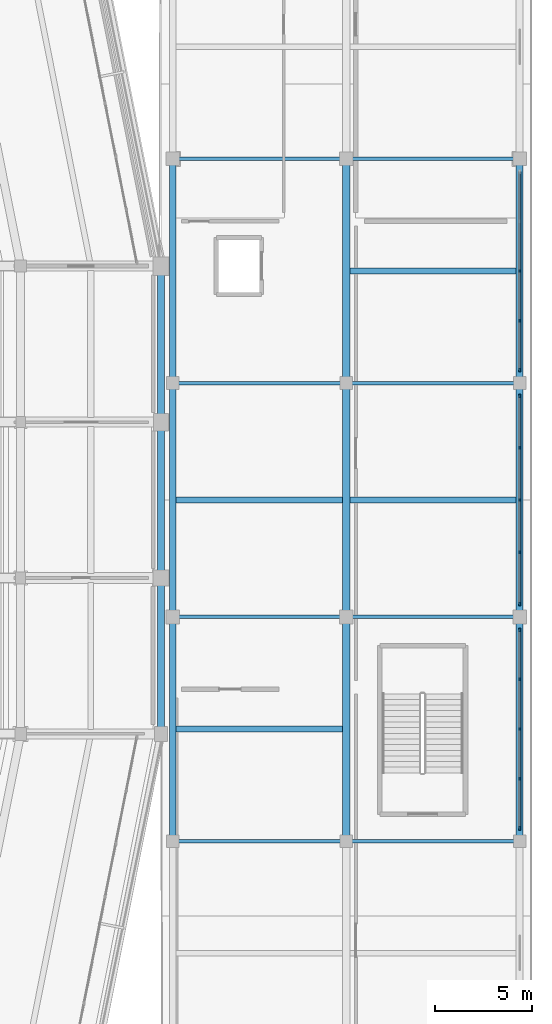
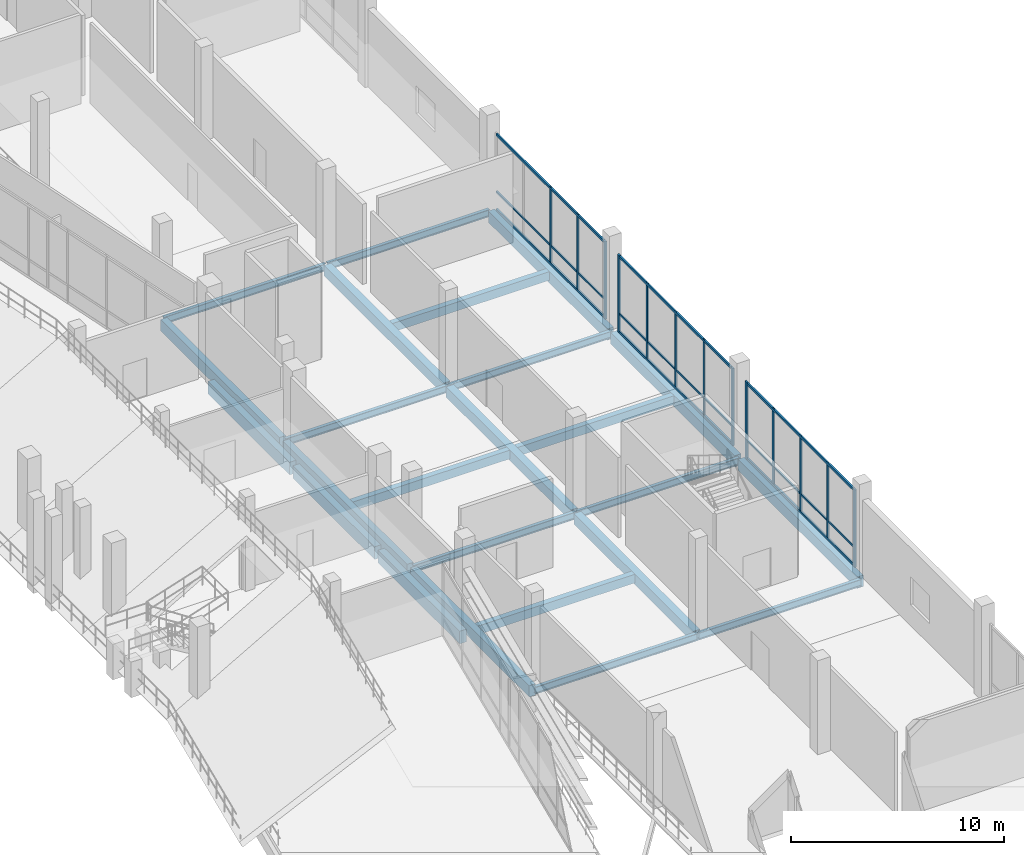
# One storey, part 44 of 127: 24 beams, 22 members, 3 elements without a shape of their own.
"""IFC4 building model written with IfcOpenShell, lengths in metres."""

from ifc_helpers import new_model, si_unit, direction, frame, origin, origin_2d, place, context, subcontext, project, spatial, rectangle, i_section, extrude, material, material_profile, profile_set, type_object, element, aggregate, save


model = new_model("IFC4")

# Units and contexts
model_context = context("Model", 3, precision=1e-05, world=origin(), true_north=direction((0.0, 1.0)))
body_context = subcontext(model_context, "Body", "Model", "MODEL_VIEW")
ifc_project = project(units=[si_unit("LENGTHUNIT", "METRE"), si_unit("AREAUNIT", "SQUARE_METRE"), si_unit("VOLUMEUNIT", "CUBIC_METRE"), si_unit("PLANEANGLEUNIT", "RADIAN"), si_unit("MASSUNIT", "GRAM", prefix="KILO")], contexts=[model_context])

# Site, building, storey
site_placement = place(None, origin())
site = spatial("IfcSite", under=ifc_project, at=site_placement, CompositionType="ELEMENT")
building_placement = place(site_placement, origin())
building = spatial("IfcBuilding", under=site, at=building_placement, Name="Candeia Ridge Stadium", CompositionType="ELEMENT")
storey_placement = place(building_placement, frame((0.0, 0.0, 10.800048828125)))
storey = spatial("IfcBuildingStorey", under=building, at=storey_placement, Name="L02", CompositionType="ELEMENT", Elevation=10.800048828125)

# Curtain wall, members
ifc_material_1 = material(Name="Aluminium Anodized Warm Bronze", Category="aluminium")
curtain_wall_type = type_object("IfcCurtainWallType", Name="Cardinal Entrance Gate Tall Glazed Curtain Wall", PredefinedType="NOTDEFINED", material=ifc_material_1)
curtain_wall_1_placement = place(storey_placement, origin())
curtain_wall_1 = element("IfcCurtainWall", 1, at=curtain_wall_1_placement, inside=storey, type_object=curtain_wall_type, Name="Unitised curtain wall CW-WNG-L02-107", PredefinedType="NOTDEFINED")
ifc_material_profile_1 = material_profile(ifc_material_1, rectangle(XDim=0.090087890625, YDim=0.179931640625, at=origin_2d()), Name="CWM-90x180", Category="aluminium")
ifc_profile_set_1 = profile_set([ifc_material_profile_1], Name="Aluminium Anodized Warm Bronze")
member_type_1 = type_object("IfcMemberType", Name="Curtain Wall Primary Mullion 90x180", PredefinedType="MULLION", material=ifc_profile_set_1)
member_1_placement = place(storey_placement, frame((211.39990234375, 66.159912109375, 0.0), z_axis=(0.0, 0.0, 1.0), x_axis=(1.0, 0.0, 0.0)))
member_1 = element("IfcMember", 2, at=member_1_placement, type_object=member_type_1, Name="Curtain wall mullion CW-WNG-L02-107-M0", PredefinedType="MULLION", context=body_context, shape_type="SweptSolid", body=[
    extrude(rectangle(XDim=0.090087890625, YDim=0.179931640625, at=origin_2d()), origin(), (0.0, 0.0, 1.0), 4.454833984375),
])
member_2_placement = place(storey_placement, frame((211.39990234375, 76.340087890625, 0.0), z_axis=(0.0, 0.0, 1.0), x_axis=(1.0, 0.0, 0.0)))
member_2 = element("IfcMember", 3, at=member_2_placement, type_object=member_type_1, Name="Curtain wall mullion CW-WNG-L02-107-M4", PredefinedType="MULLION", context=body_context, shape_type="SweptSolid", body=[
    extrude(rectangle(XDim=0.090087890625, YDim=0.179931640625, at=origin_2d()), origin(), (0.0, 0.0, 1.0), 4.454833984375),
])

curtain_wall_2_placement = place(storey_placement, origin())
curtain_wall_2 = element("IfcCurtainWall", 4, at=curtain_wall_2_placement, inside=storey, type_object=curtain_wall_type, Name="Unitised curtain wall CW-WNG-L02-108", PredefinedType="NOTDEFINED")
member_3_placement = place(storey_placement, frame((211.39990234375, 77.659912109375, 0.0), z_axis=(0.0, 0.0, 1.0), x_axis=(1.0, 0.0, 0.0)))
member_3 = element("IfcMember", 5, at=member_3_placement, type_object=member_type_1, Name="Curtain wall mullion CW-WNG-L02-108-M0", PredefinedType="MULLION", context=body_context, shape_type="SweptSolid", body=[
    extrude(rectangle(XDim=0.090087890625, YDim=0.179931640625, at=origin_2d()), origin(), (0.0, 0.0, 1.0), 4.454833984375),
])
member_4_placement = place(storey_placement, frame((211.39990234375, 88.340087890625, 0.0), z_axis=(0.0, 0.0, 1.0), x_axis=(1.0, 0.0, 0.0)))
member_4 = element("IfcMember", 6, at=member_4_placement, type_object=member_type_1, Name="Curtain wall mullion CW-WNG-L02-108-M4", PredefinedType="MULLION", context=body_context, shape_type="SweptSolid", body=[
    extrude(rectangle(XDim=0.090087890625, YDim=0.179931640625, at=origin_2d()), origin(), (0.0, 0.0, 1.0), 4.454833984375),
])

# Curtain wall, member
curtain_wall_3_placement = place(storey_placement, origin())
curtain_wall_3 = element("IfcCurtainWall", 7, at=curtain_wall_3_placement, inside=storey, type_object=curtain_wall_type, Name="Unitised curtain wall CW-WNG-L02-109", PredefinedType="NOTDEFINED")
member_5_placement = place(storey_placement, frame((211.39990234375, 89.659912109375, 0.0), z_axis=(0.0, 0.0, 1.0), x_axis=(1.0, 0.0, 0.0)))
member_5 = element("IfcMember", 8, at=member_5_placement, type_object=member_type_1, Name="Curtain wall mullion CW-WNG-L02-109-M0", PredefinedType="MULLION", context=body_context, shape_type="SweptSolid", body=[
    extrude(rectangle(XDim=0.090087890625, YDim=0.179931640625, at=origin_2d()), origin(), (0.0, 0.0, 1.0), 4.454833984375),
])

# Member
ifc_material_profile_2 = material_profile(ifc_material_1, rectangle(XDim=0.074951171875, YDim=0.14990234375, at=origin_2d()), Name="CWM-75x150", Category="aluminium")
ifc_profile_set_2 = profile_set([ifc_material_profile_2], Name="Aluminium Anodized Warm Bronze")
member_type_2 = type_object("IfcMemberType", Name="Curtain Wall Secondary Mullion 75x150", PredefinedType="MULLION", material=ifc_profile_set_2)
member_6_placement = place(storey_placement, frame((211.39990234375, 68.705078125, 0.0), z_axis=(0.0, 0.0, 1.0), x_axis=(1.0, 0.0, 0.0)))
member_6 = element("IfcMember", 9, at=member_6_placement, type_object=member_type_2, Name="Curtain wall mullion CW-WNG-L02-107-M1", PredefinedType="MULLION", context=body_context, shape_type="SweptSolid", body=[
    extrude(rectangle(XDim=0.074951171875, YDim=0.14990234375, at=origin_2d()), origin(), (0.0, 0.0, 1.0), 4.454833984375),
])

member_7_placement = place(storey_placement, frame((211.39990234375, 71.25, 0.0), z_axis=(0.0, 0.0, 1.0), x_axis=(1.0, 0.0, 0.0)))
member_7 = element("IfcMember", 10, at=member_7_placement, type_object=member_type_2, Name="Curtain wall mullion CW-WNG-L02-107-M2", PredefinedType="MULLION", context=body_context, shape_type="SweptSolid", body=[
    extrude(rectangle(XDim=0.074951171875, YDim=0.14990234375, at=origin_2d()), origin(), (0.0, 0.0, 1.0), 4.454833984375),
])

member_8_placement = place(storey_placement, frame((211.39990234375, 73.794921875, 0.0), z_axis=(0.0, 0.0, 1.0), x_axis=(1.0, 0.0, 0.0)))
member_8 = element("IfcMember", 11, at=member_8_placement, type_object=member_type_2, Name="Curtain wall mullion CW-WNG-L02-107-M3", PredefinedType="MULLION", context=body_context, shape_type="SweptSolid", body=[
    extrude(rectangle(XDim=0.074951171875, YDim=0.14990234375, at=origin_2d()), origin(), (0.0, 0.0, 1.0), 4.454833984375),
])

member_9_placement = place(storey_placement, frame((211.39990234375, 80.330078125, 0.0), z_axis=(0.0, 0.0, 1.0), x_axis=(1.0, 0.0, 0.0)))
member_9 = element("IfcMember", 12, at=member_9_placement, type_object=member_type_2, Name="Curtain wall mullion CW-WNG-L02-108-M1", PredefinedType="MULLION", context=body_context, shape_type="SweptSolid", body=[
    extrude(rectangle(XDim=0.074951171875, YDim=0.14990234375, at=origin_2d()), origin(), (0.0, 0.0, 1.0), 4.454833984375),
])

member_10_placement = place(storey_placement, frame((211.39990234375, 83.0, 0.0), z_axis=(0.0, 0.0, 1.0), x_axis=(1.0, 0.0, 0.0)))
member_10 = element("IfcMember", 13, at=member_10_placement, type_object=member_type_2, Name="Curtain wall mullion CW-WNG-L02-108-M2", PredefinedType="MULLION", context=body_context, shape_type="SweptSolid", body=[
    extrude(rectangle(XDim=0.074951171875, YDim=0.14990234375, at=origin_2d()), origin(), (0.0, 0.0, 1.0), 4.454833984375),
])

member_11_placement = place(storey_placement, frame((211.39990234375, 85.669921875, 0.0), z_axis=(0.0, 0.0, 1.0), x_axis=(1.0, 0.0, 0.0)))
member_11 = element("IfcMember", 14, at=member_11_placement, type_object=member_type_2, Name="Curtain wall mullion CW-WNG-L02-108-M3", PredefinedType="MULLION", context=body_context, shape_type="SweptSolid", body=[
    extrude(rectangle(XDim=0.074951171875, YDim=0.14990234375, at=origin_2d()), origin(), (0.0, 0.0, 1.0), 4.454833984375),
])

member_12_placement = place(storey_placement, frame((211.39990234375, 92.205078125, 0.0), z_axis=(0.0, 0.0, 1.0), x_axis=(1.0, 0.0, 0.0)))
member_12 = element("IfcMember", 15, at=member_12_placement, type_object=member_type_2, Name="Curtain wall mullion CW-WNG-L02-109-M1", PredefinedType="MULLION", context=body_context, shape_type="SweptSolid", body=[
    extrude(rectangle(XDim=0.074951171875, YDim=0.14990234375, at=origin_2d()), origin(), (0.0, 0.0, 1.0), 4.454833984375),
])

member_13_placement = place(storey_placement, frame((211.39990234375, 94.75, 0.0), z_axis=(0.0, 0.0, 1.0), x_axis=(1.0, 0.0, 0.0)))
member_13 = element("IfcMember", 16, at=member_13_placement, type_object=member_type_2, Name="Curtain wall mullion CW-WNG-L02-109-M2", PredefinedType="MULLION", context=body_context, shape_type="SweptSolid", body=[
    extrude(rectangle(XDim=0.074951171875, YDim=0.14990234375, at=origin_2d()), origin(), (0.0, 0.0, 1.0), 4.454833984375),
])

ifc_material_profile_3 = material_profile(ifc_material_1, rectangle(XDim=0.074951171875, YDim=0.110107421875, at=origin_2d()), Name="CWT-75x110", Category="aluminium")
ifc_profile_set_3 = profile_set([ifc_material_profile_3], Name="Aluminium Anodized Warm Bronze")
member_type_3 = type_object("IfcMemberType", Name="Curtain Wall Secondary Transom 75x110", PredefinedType="USERDEFINED", material=ifc_profile_set_3)
member_14_placement = place(storey_placement, frame((211.39990234375, 66.159912109375, 1.099853515625), z_axis=(0.0, 1.0, 0.0), x_axis=(-1.0, 0.0, 0.0)))
member_14 = element("IfcMember", 17, at=member_14_placement, type_object=member_type_3, Name="Curtain wall transom CW-WNG-L02-107-T1", ObjectType="TRANSOM", PredefinedType="USERDEFINED", context=body_context, shape_type="SweptSolid", body=[
    extrude(rectangle(XDim=0.074951171875, YDim=0.110107421875, at=origin_2d()), origin(), (0.0, 0.0, 1.0), 10.18017578125),
])

member_15_placement = place(storey_placement, frame((211.39990234375, 77.659912109375, 1.099853515625), z_axis=(0.0, 1.0, 0.0), x_axis=(-1.0, 0.0, 0.0)))
member_15 = element("IfcMember", 18, at=member_15_placement, type_object=member_type_3, Name="Curtain wall transom CW-WNG-L02-108-T1", ObjectType="TRANSOM", PredefinedType="USERDEFINED", context=body_context, shape_type="SweptSolid", body=[
    extrude(rectangle(XDim=0.074951171875, YDim=0.110107421875, at=origin_2d()), origin(), (0.0, 0.0, 1.0), 10.68017578125),
])

member_16_placement = place(storey_placement, frame((211.39990234375, 89.659912109375, 1.099853515625), z_axis=(0.0, 1.0, 0.0), x_axis=(-1.0, 0.0, 0.0)))
member_16 = element("IfcMember", 19, at=member_16_placement, type_object=member_type_3, Name="Curtain wall transom CW-WNG-L02-109-T1", ObjectType="TRANSOM", PredefinedType="USERDEFINED", context=body_context, shape_type="SweptSolid", body=[
    extrude(rectangle(XDim=0.074951171875, YDim=0.110107421875, at=origin_2d()), origin(), (0.0, 0.0, 1.0), 10.18017578125),
])

ifc_material_profile_4 = material_profile(ifc_material_1, rectangle(XDim=0.090087890625, YDim=0.139892578125, at=origin_2d()), Name="CWT-90x140", Category="aluminium")
ifc_profile_set_4 = profile_set([ifc_material_profile_4], Name="Aluminium Anodized Warm Bronze")
member_type_4 = type_object("IfcMemberType", Name="Curtain Wall Transom 90x140", PredefinedType="USERDEFINED", material=ifc_profile_set_4)
member_17_placement = place(storey_placement, frame((211.39990234375, 66.159912109375, 0.070068359375), z_axis=(0.0, 1.0, 0.0), x_axis=(-1.0, 0.0, 0.0)))
member_17 = element("IfcMember", 20, at=member_17_placement, type_object=member_type_4, Name="Curtain wall transom CW-WNG-L02-107-T0", ObjectType="TRANSOM", PredefinedType="USERDEFINED", context=body_context, shape_type="SweptSolid", body=[
    extrude(rectangle(XDim=0.090087890625, YDim=0.139892578125, at=origin_2d()), origin(), (0.0, 0.0, 1.0), 10.18017578125),
])

member_18_placement = place(storey_placement, frame((211.39990234375, 66.159912109375, 4.385009765625), z_axis=(0.0, 1.0, 0.0), x_axis=(-1.0, 0.0, 0.0)))
member_18 = element("IfcMember", 21, at=member_18_placement, type_object=member_type_4, Name="Curtain wall transom CW-WNG-L02-107-T2", ObjectType="TRANSOM", PredefinedType="USERDEFINED", context=body_context, shape_type="SweptSolid", body=[
    extrude(rectangle(XDim=0.090087890625, YDim=0.139892578125, at=origin_2d()), origin(), (0.0, 0.0, 1.0), 10.18017578125),
])

aggregate(curtain_wall_1, [member_1, member_6, member_7, member_8, member_2, member_17, member_14, member_18])

member_19_placement = place(storey_placement, frame((211.39990234375, 77.659912109375, 0.070068359375), z_axis=(0.0, 1.0, 0.0), x_axis=(-1.0, 0.0, 0.0)))
member_19 = element("IfcMember", 22, at=member_19_placement, type_object=member_type_4, Name="Curtain wall transom CW-WNG-L02-108-T0", ObjectType="TRANSOM", PredefinedType="USERDEFINED", context=body_context, shape_type="SweptSolid", body=[
    extrude(rectangle(XDim=0.090087890625, YDim=0.139892578125, at=origin_2d()), origin(), (0.0, 0.0, 1.0), 10.68017578125),
])

member_20_placement = place(storey_placement, frame((211.39990234375, 77.659912109375, 4.385009765625), z_axis=(0.0, 1.0, 0.0), x_axis=(-1.0, 0.0, 0.0)))
member_20 = element("IfcMember", 23, at=member_20_placement, type_object=member_type_4, Name="Curtain wall transom CW-WNG-L02-108-T2", ObjectType="TRANSOM", PredefinedType="USERDEFINED", context=body_context, shape_type="SweptSolid", body=[
    extrude(rectangle(XDim=0.090087890625, YDim=0.139892578125, at=origin_2d()), origin(), (0.0, 0.0, 1.0), 10.68017578125),
])

aggregate(curtain_wall_2, [member_3, member_9, member_10, member_11, member_4, member_19, member_15, member_20])

member_21_placement = place(storey_placement, frame((211.39990234375, 89.659912109375, 0.070068359375), z_axis=(0.0, 1.0, 0.0), x_axis=(-1.0, 0.0, 0.0)))
member_21 = element("IfcMember", 24, at=member_21_placement, type_object=member_type_4, Name="Curtain wall transom CW-WNG-L02-109-T0", ObjectType="TRANSOM", PredefinedType="USERDEFINED", context=body_context, shape_type="SweptSolid", body=[
    extrude(rectangle(XDim=0.090087890625, YDim=0.139892578125, at=origin_2d()), origin(), (0.0, 0.0, 1.0), 10.18017578125),
])

member_22_placement = place(storey_placement, frame((211.39990234375, 89.659912109375, 4.385009765625), z_axis=(0.0, 1.0, 0.0), x_axis=(-1.0, 0.0, 0.0)))
member_22 = element("IfcMember", 25, at=member_22_placement, type_object=member_type_4, Name="Curtain wall transom CW-WNG-L02-109-T2", ObjectType="TRANSOM", PredefinedType="USERDEFINED", context=body_context, shape_type="SweptSolid", body=[
    extrude(rectangle(XDim=0.090087890625, YDim=0.139892578125, at=origin_2d()), origin(), (0.0, 0.0, 1.0), 10.18017578125),
])

aggregate(curtain_wall_3, [member_5, member_12, member_13, member_21, member_16, member_22])

# Beams
ifc_material_2 = material(Name="Concrete C40/50", Category="concrete")
ifc_material_profile_5 = material_profile(ifc_material_2, rectangle(XDim=0.300048828125, YDim=0.5, at=origin_2d()), Name="RC300x500", Category="concrete")
ifc_profile_set_5 = profile_set([ifc_material_profile_5], Name="Concrete C40/50")
beam_type_1 = type_object("IfcBeamType", Name="Floor Joist RC300x500", PredefinedType="JOIST", material=ifc_profile_set_5)
for number, where, z_axis, x_axis, name in (
    (26, (193.7744140625, 71.25, -0.510009765625), (1.0, 0.0, 0.0), (0.0, 1.0, 0.0), "Wing secondary joist BM-L02-1655"),
    (27, (193.7744140625, 83.0, -0.510009765625), (1.0, 0.0, 0.0), (0.0, 1.0, 0.0), "Wing secondary joist BM-L02-1657"),
    (28, (202.699462890625, 83.0, -0.510009765625), (1.0, 0.0, 0.0), (0.0, 1.0, 0.0), "Wing secondary joist BM-L02-1678"),
    (29, (202.699462890625, 94.75, -0.510009765625), (1.0, 0.0, 0.0), (0.0, 1.0, 0.0), "Wing secondary joist BM-L02-1680"),
):
    element("IfcBeam", number, at=place(storey_placement, frame(where, z_axis=z_axis, x_axis=x_axis)), inside=storey, type_object=beam_type_1, Name=name, PredefinedType="JOIST", context=body_context, shape_type="SweptSolid", body=[
        extrude(rectangle(XDim=0.300048828125, YDim=0.5, at=origin_2d()), origin(), (0.0, 0.0, 1.0), 8.526123046875),
    ])
ifc_material_profile_6 = material_profile(ifc_material_2, rectangle(XDim=0.39990234375, YDim=0.60009765625, at=origin_2d()), Name="RC400x600", Category="concrete")
ifc_profile_set_6 = profile_set([ifc_material_profile_6], Name="Concrete C40/50")
beam_type_2 = type_object("IfcBeamType", Name="Frame Girder RC400x600", PredefinedType="BEAM", material=ifc_profile_set_6)
beam_1_placement = place(storey_placement, frame((202.5, 65.659912109375, -0.56005859375), z_axis=(0.0, 1.0, 0.0), x_axis=(-1.0, 0.0, 0.0)))
element("IfcBeam", 30, at=beam_1_placement, inside=storey, type_object=beam_type_2, Name="Structural girder BM-L02-1629", PredefinedType="BEAM", context=body_context, shape_type="SweptSolid", body=[
    extrude(rectangle(XDim=0.39990234375, YDim=0.60009765625, at=origin_2d()), origin(), (0.0, 0.0, 1.0), 11.18017578125),
])
beam_2_placement = place(storey_placement, frame((202.5, 77.159912109375, -0.56005859375), z_axis=(0.0, 1.0, 0.0), x_axis=(-1.0, 0.0, 0.0)))
element("IfcBeam", 31, at=beam_2_placement, inside=storey, type_object=beam_type_2, Name="Structural girder BM-L02-1630", PredefinedType="BEAM", context=body_context, shape_type="SweptSolid", body=[
    extrude(rectangle(XDim=0.39990234375, YDim=0.60009765625, at=origin_2d()), origin(), (0.0, 0.0, 1.0), 11.68017578125),
])
beam_3_placement = place(storey_placement, frame((202.5, 89.159912109375, -0.56005859375), z_axis=(0.0, 1.0, 0.0), x_axis=(-1.0, 0.0, 0.0)))
element("IfcBeam", 32, at=beam_3_placement, inside=storey, type_object=beam_type_2, Name="Structural girder BM-L02-1631", PredefinedType="BEAM", context=body_context, shape_type="SweptSolid", body=[
    extrude(rectangle(XDim=0.39990234375, YDim=0.60009765625, at=origin_2d()), origin(), (0.0, 0.0, 1.0), 11.18017578125),
])
ifc_material_profile_7 = material_profile(ifc_material_2, rectangle(XDim=0.35009765625, YDim=0.64990234375, at=origin_2d()), Name="RC350x650", Category="concrete")
ifc_profile_set_7 = profile_set([ifc_material_profile_7], Name="Concrete C40/50")
beam_type_3 = type_object("IfcBeamType", Name="Spandrel Beam RC350x650", PredefinedType="SPANDREL", material=ifc_profile_set_7)
beam_4_placement = place(storey_placement, frame((193.60009765625, 65.659912109375, -0.5849609375), z_axis=(0.0, 1.0, 0.0), x_axis=(-1.0, 0.0, 0.0)))
element("IfcBeam", 33, at=beam_4_placement, inside=storey, type_object=beam_type_3, Name="Structural girder BM-L02-1618", PredefinedType="SPANDREL", context=body_context, shape_type="SweptSolid", body=[
    extrude(rectangle(XDim=0.35009765625, YDim=0.64990234375, at=origin_2d()), origin(), (0.0, 0.0, 1.0), 11.18017578125),
])
beam_5_placement = place(storey_placement, frame((193.60009765625, 77.159912109375, -0.5849609375), z_axis=(0.0, 1.0, 0.0), x_axis=(-1.0, 0.0, 0.0)))
element("IfcBeam", 34, at=beam_5_placement, inside=storey, type_object=beam_type_3, Name="Structural girder BM-L02-1619", PredefinedType="SPANDREL", context=body_context, shape_type="SweptSolid", body=[
    extrude(rectangle(XDim=0.35009765625, YDim=0.64990234375, at=origin_2d()), origin(), (0.0, 0.0, 1.0), 11.68017578125),
])
for number, where, z_axis, x_axis, name in (
    (35, (193.60009765625, 89.159912109375, -0.5849609375), (0.0, 1.0, 0.0), (-1.0, 0.0, 0.0), "Structural girder BM-L02-1620"),
    (36, (211.39990234375, 65.659912109375, -0.5849609375), (0.0, 1.0, 0.0), (-1.0, 0.0, 0.0), "Structural girder BM-L02-1640"),
):
    element("IfcBeam", number, at=place(storey_placement, frame(where, z_axis=z_axis, x_axis=x_axis)), inside=storey, type_object=beam_type_3, Name=name, PredefinedType="SPANDREL", context=body_context, shape_type="SweptSolid", body=[
        extrude(rectangle(XDim=0.35009765625, YDim=0.64990234375, at=origin_2d()), origin(), (0.0, 0.0, 1.0), 11.18017578125),
    ])
beam_6_placement = place(storey_placement, frame((211.39990234375, 77.159912109375, -0.5849609375), z_axis=(0.0, 1.0, 0.0), x_axis=(-1.0, 0.0, 0.0)))
element("IfcBeam", 37, at=beam_6_placement, inside=storey, type_object=beam_type_3, Name="Structural girder BM-L02-1641", PredefinedType="SPANDREL", context=body_context, shape_type="SweptSolid", body=[
    extrude(rectangle(XDim=0.35009765625, YDim=0.64990234375, at=origin_2d()), origin(), (0.0, 0.0, 1.0), 11.68017578125),
])
beam_7_placement = place(storey_placement, frame((211.39990234375, 89.159912109375, -0.5849609375), z_axis=(0.0, 1.0, 0.0), x_axis=(-1.0, 0.0, 0.0)))
element("IfcBeam", 38, at=beam_7_placement, inside=storey, type_object=beam_type_3, Name="Structural girder BM-L02-1642", PredefinedType="SPANDREL", context=body_context, shape_type="SweptSolid", body=[
    extrude(rectangle(XDim=0.35009765625, YDim=0.64990234375, at=origin_2d()), origin(), (0.0, 0.0, 1.0), 11.18017578125),
])
ifc_material_3 = material(Name="Concrete C45/55", Category="concrete")
ifc_material_profile_8 = material_profile(ifc_material_3, rectangle(XDim=0.360107421875, YDim=0.719970703125, at=origin_2d()), Name="RC360x720", Category="concrete")
ifc_profile_set_8 = profile_set([ifc_material_profile_8], Name="Concrete C45/55")
beam_type_4 = type_object("IfcBeamType", Name="Spandrel Beam RC360x720", PredefinedType="SPANDREL", material=ifc_profile_set_8)
for number, where, z_axis, x_axis, name in (
    (39, (193.0, 71.159912109375, -0.6201171875), (0.0, 1.0, 0.0), (-1.0, 0.0, 0.0), "Bowl perimeter spandrel BM-L02-0449"),
    (40, (193.0, 79.159912109375, -0.6201171875), (0.0, 1.0, 0.0), (-1.0, 0.0, 0.0), "Bowl perimeter spandrel BM-L02-0454"),
    (41, (193.0, 87.159912109375, -0.6201171875), (0.0, 1.0, 0.0), (-1.0, 0.0, 0.0), "Bowl perimeter spandrel BM-L02-0459"),
):
    element("IfcBeam", number, at=place(storey_placement, frame(where, z_axis=z_axis, x_axis=x_axis)), inside=storey, type_object=beam_type_4, Name=name, PredefinedType="SPANDREL", context=body_context, shape_type="SweptSolid", body=[
        extrude(rectangle(XDim=0.360107421875, YDim=0.719970703125, at=origin_2d()), origin(), (0.0, 0.0, 1.0), 7.68017578125),
    ])
ifc_material_4 = material(Name="Steel ASTM A572 Grade 50", Category="steel")
ifc_material_profile_9 = material_profile(ifc_material_4, i_section(OverallWidth=0.178955078125, OverallDepth=0.409912109375, WebThickness=0.0087890625, FlangeThickness=0.014404296875, FilletRadius=0.011962890625, at=origin_2d()), Name="W410x67", Category="steel")
ifc_profile_set_9 = profile_set([ifc_material_profile_9], Name="Steel ASTM A572 Grade 50")
beam_type_5 = type_object("IfcBeamType", Name="Warm-Up Hall Girder W410x67", PredefinedType="BEAM", material=ifc_profile_set_9)
for number, where, z_axis, x_axis, name in (
    (42, (193.64990234375, 65.5, -0.465087890625), (1.0, 0.0, 0.0), (0.0, 1.0, 0.0), "Structural girder BM-L02-1654"),
    (43, (193.64990234375, 77.0, -0.465087890625), (1.0, 0.0, 0.0), (0.0, 1.0, 0.0), "Structural girder BM-L02-1656"),
    (44, (193.64990234375, 89.0, -0.465087890625), (1.0, 0.0, 0.0), (0.0, 1.0, 0.0), "Structural girder BM-L02-1658"),
    (45, (193.64990234375, 100.5, -0.465087890625), (1.0, 0.0, 0.0), (0.0, 1.0, 0.0), "Structural girder BM-L02-1659"),
    (46, (202.550048828125, 65.5, -0.465087890625), (1.0, 0.0, 0.0), (0.0, 1.0, 0.0), "Structural girder BM-L02-1676"),
    (47, (202.550048828125, 77.0, -0.465087890625), (1.0, 0.0, 0.0), (0.0, 1.0, 0.0), "Structural girder BM-L02-1677"),
    (48, (202.550048828125, 89.0, -0.465087890625), (1.0, 0.0, 0.0), (0.0, 1.0, 0.0), "Structural girder BM-L02-1679"),
    (49, (202.550048828125, 100.5, -0.465087890625), (1.0, 0.0, 0.0), (0.0, 1.0, 0.0), "Structural girder BM-L02-1681"),
):
    element("IfcBeam", number, at=place(storey_placement, frame(where, z_axis=z_axis, x_axis=x_axis)), inside=storey, type_object=beam_type_5, Name=name, PredefinedType="BEAM", context=body_context, shape_type="SweptSolid", body=[
        extrude(i_section(OverallWidth=0.178955078125, OverallDepth=0.409912109375, WebThickness=0.0087890625, FlangeThickness=0.014404296875, FilletRadius=0.011962890625, at=origin_2d()), origin(), (0.0, 0.0, 1.0), 8.800048828125),
    ])

save(model, "model.ifc")
